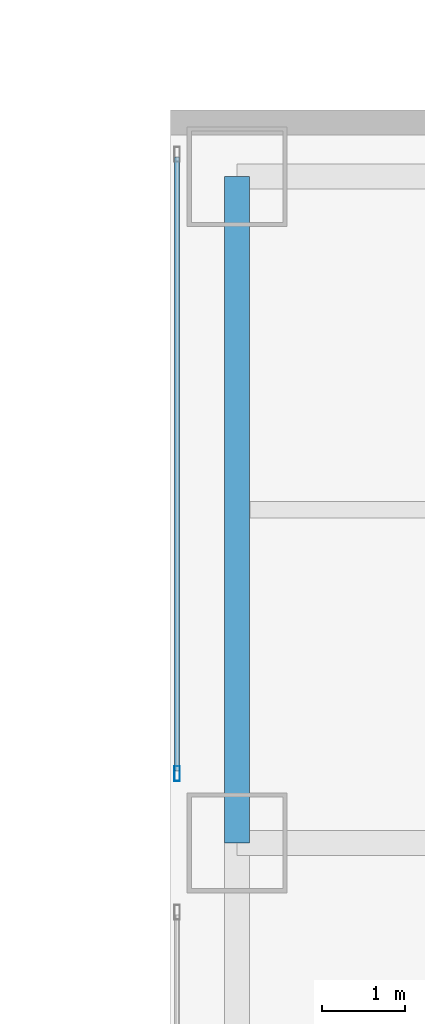
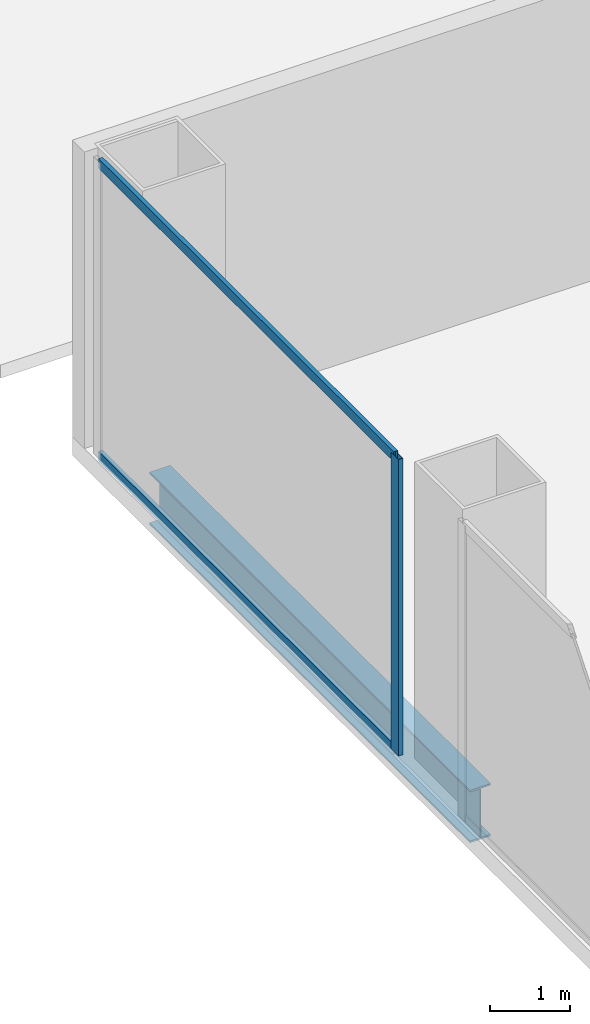
# One storey, part 36 of 58: 3 members, 1 beam, 1 element without a shape of its own.
"""IFC4 building model written with IfcOpenShell, lengths in metres."""

from ifc_helpers import new_model, si_unit, direction, frame, origin, origin_2d, place, context, subcontext, project, spatial, hollow_rectangle, i_section, extrude, source, transform, mapped, material, layer, layer_set, material_profile, profile_set, type_object, element, aggregate, save


model = new_model("IFC4")

# Units and contexts
model_context = context("Model", 3, precision=1e-05, world=origin(), true_north=direction((0.0, 1.0)))
body_context = subcontext(model_context, "Body", "Model", "MODEL_VIEW")
ifc_project = project(units=[si_unit("LENGTHUNIT", "METRE"), si_unit("AREAUNIT", "SQUARE_METRE"), si_unit("VOLUMEUNIT", "CUBIC_METRE"), si_unit("PLANEANGLEUNIT", "RADIAN"), si_unit("MASSUNIT", "GRAM", prefix="KILO"), si_unit("THERMODYNAMICTEMPERATUREUNIT", "KELVIN"), si_unit("POWERUNIT", "WATT")], contexts=[model_context])

# Site, building, storey
site_placement = place(None, origin())
site = spatial("IfcSite", under=ifc_project, at=site_placement, CompositionType="ELEMENT")
building_placement = place(site_placement, origin())
building = spatial("IfcBuilding", under=site, at=building_placement, Name="Yunzhuo Pagoda Commons", CompositionType="ELEMENT")
storey_placement = place(building_placement, origin())
storey = spatial("IfcBuildingStorey", under=building, at=storey_placement, Name="L01", CompositionType="ELEMENT", Elevation=0.0)

# Beam
ifc_material_1 = material(Name="Structural steel Q355B", Category="steel")
ifc_material_profile_1 = material_profile(ifc_material_1, i_section(OverallWidth=0.300048828125, OverallDepth=0.800048828125, WebThickness=0.013916015625, FlangeThickness=0.02587890625, at=origin_2d()), Name="Structural steel Q355B")
ifc_profile_set_1 = profile_set([ifc_material_profile_1], Name="Structural steel Q355B")
beam_type = type_object("IfcBeamType", Name="B-PD2 Beam HN 800x300x14x26", PredefinedType="BEAM", material=ifc_profile_set_1)
shared_shape_1 = source(origin(), body_context, "Body", "SweptSolid", [
    extrude(i_section(OverallWidth=0.300048828125, OverallDepth=0.800048828125, WebThickness=0.013916015625, FlangeThickness=0.02587890625, at=origin_2d()), origin(), (0.0, 0.0, 1.0), 8.0),
])
beam_placement = place(storey_placement, frame((4.800048828125, 81.199951171875, -0.679931640625), z_axis=(0.0, 1.0, 0.0), x_axis=(-1.0, 0.0, 0.0)))
element("IfcBeam", 1, at=beam_placement, inside=storey, type_object=beam_type, Name="L01 podium girder NS 1.5", PredefinedType="BEAM", context=body_context, shape_type="MappedRepresentation", body=[
    mapped(shared_shape_1, transform((0.0, 0.0, 0.0), scale=1.0)),
])

# Curtain wall, members
ifc_material_2 = material(Name="Anodized aluminium 6063-T6", Category="aluminium")
ifc_layer = layer(ifc_material_2, 0.179931640625)
ifc_layer_set = layer_set([ifc_layer], Name="Anodized aluminium 6063-T6")
curtain_wall_type = type_object("IfcCurtainWallType", Name="CW-POD Waterfront Podium Curtain Wall", PredefinedType="NOTDEFINED", material=ifc_layer_set)
curtain_wall_placement = place(storey_placement, origin())
curtain_wall = element("IfcCurtainWall", 2, at=curtain_wall_placement, inside=storey, type_object=curtain_wall_type, Name="L01 curtain wall CW-L01-W5", PredefinedType="NOTDEFINED")
ifc_material_profile_2 = material_profile(ifc_material_2, hollow_rectangle(XDim=0.06494140625, YDim=0.179931640625, WallThickness=0.00390625, at=origin_2d()), Name="Anodized aluminium 6063-T6")
ifc_profile_set_2 = profile_set([ifc_material_profile_2], Name="Anodized aluminium 6063-T6")
member_type_1 = type_object("IfcMemberType", Name="CW-POD-M Mullion RHS 180x65x4", PredefinedType="MULLION", material=ifc_profile_set_2)
shared_shape_2 = source(origin(), body_context, "Body", "SweptSolid", [
    extrude(hollow_rectangle(XDim=0.06494140625, YDim=0.179931640625, WallThickness=0.00390625, at=origin_2d()), origin(), (0.0, 0.0, 1.0), 4.520263671875),
])
member_1_placement = place(storey_placement, frame((4.080078125, 82.032470703125, 0.0), z_axis=(0.0, 0.0, 1.0), x_axis=(-1.0, 0.0, 0.0)))
member_1 = element("IfcMember", 3, at=member_1_placement, type_object=member_type_1, Name="CW mullion 1", PredefinedType="MULLION", context=body_context, shape_type="MappedRepresentation", body=[
    mapped(shared_shape_2, transform((0.0, 0.0, 0.0), scale=1.0)),
])
ifc_material_profile_3 = material_profile(ifc_material_2, hollow_rectangle(XDim=0.06005859375, YDim=0.14990234375, WallThickness=0.00390625, at=origin_2d()), Name="Anodized aluminium 6063-T6")
ifc_profile_set_3 = profile_set([ifc_material_profile_3], Name="Anodized aluminium 6063-T6")
member_type_2 = type_object("IfcMemberType", Name="CW-POD-T Transom RHS 150x60x4", PredefinedType="USERDEFINED", material=ifc_profile_set_3)
shared_shape_3 = source(origin(), body_context, "Body", "SweptSolid", [
    extrude(hollow_rectangle(XDim=0.06005859375, YDim=0.14990234375, WallThickness=0.00390625, at=origin_2d()), origin(), (0.0, 0.0, 1.0), 7.3701171875),
])
member_2_placement = place(storey_placement, frame((4.080078125, 82.06494140625, 0.030029296875), z_axis=(0.0, 1.0, 0.0), x_axis=(-1.0, 0.0, 0.0)))
member_2 = element("IfcMember", 4, at=member_2_placement, type_object=member_type_2, Name="CW transom 1.1", ObjectType="TRANSOM", PredefinedType="USERDEFINED", context=body_context, shape_type="MappedRepresentation", body=[
    mapped(shared_shape_3, transform((0.0, 0.0, 0.0), scale=1.0)),
])
member_3_placement = place(storey_placement, frame((4.080078125, 82.06494140625, 4.489990234375), z_axis=(0.0, 1.0, 0.0), x_axis=(-1.0, 0.0, 0.0)))
member_3 = element("IfcMember", 5, at=member_3_placement, type_object=member_type_2, Name="CW transom 1.2", ObjectType="TRANSOM", PredefinedType="USERDEFINED", context=body_context, shape_type="MappedRepresentation", body=[
    mapped(shared_shape_3, transform((0.0, 0.0, 0.0), scale=1.0)),
])
aggregate(curtain_wall, [member_1, member_2, member_3])

save(model, "model.ifc")
